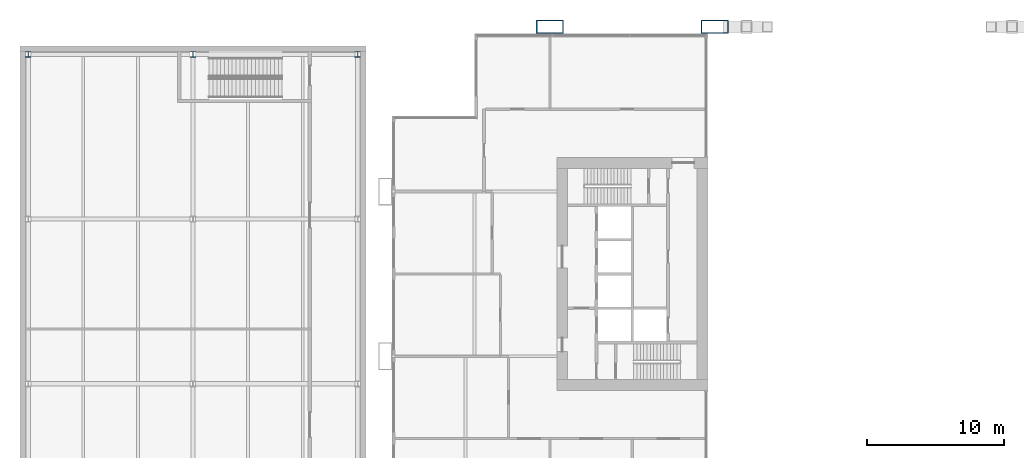
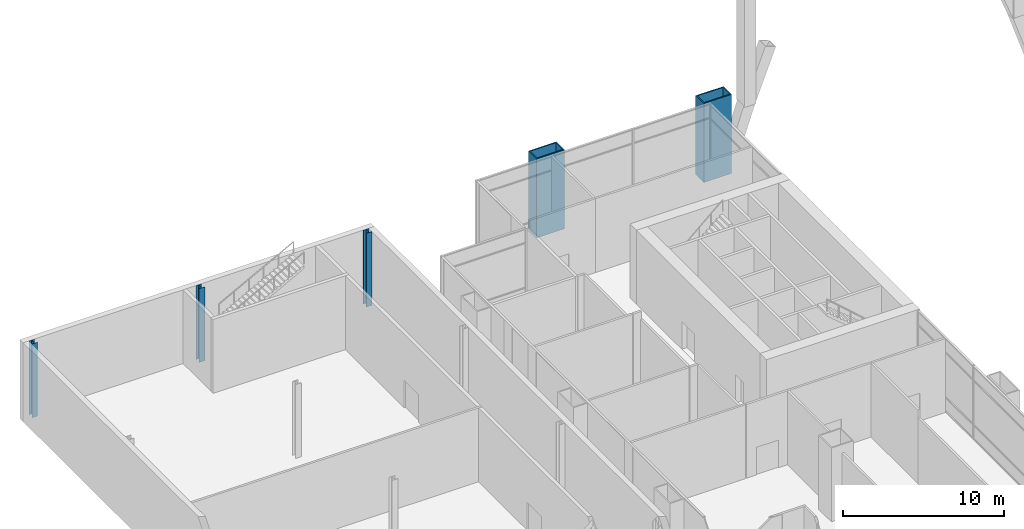
# One storey, part 5 of 30: 5 columns.
"""IFC4 building model written with IfcOpenShell, lengths in metres."""

from ifc_helpers import new_model, si_unit, direction, frame, origin, origin_2d, place, context, subcontext, project, spatial, hollow_rectangle, i_section, extrude, material, material_profile, profile_set, type_object, element, save


model = new_model("IFC4")

# Units and contexts
model_context = context("Model", 3, precision=1e-05, world=origin(), true_north=direction((0.0, 1.0)))
body_context = subcontext(model_context, "Body", "Model", "MODEL_VIEW")
ifc_project = project(units=[si_unit("LENGTHUNIT", "METRE"), si_unit("AREAUNIT", "SQUARE_METRE"), si_unit("VOLUMEUNIT", "CUBIC_METRE"), si_unit("PLANEANGLEUNIT", "RADIAN"), si_unit("MASSUNIT", "GRAM", prefix="KILO")], contexts=[model_context])

# Site, building, storey
site_placement = place(None, origin())
site = spatial("IfcSite", under=ifc_project, at=site_placement, CompositionType="ELEMENT")
building_placement = place(site_placement, origin())
building = spatial("IfcBuilding", under=site, at=building_placement, Name="Kitamizu Gate Tower and Museum", CompositionType="ELEMENT")
storey_placement = place(building_placement, frame((0.0, 0.0, 6.0)))
storey = spatial("IfcBuildingStorey", under=building, at=storey_placement, Name="L01", CompositionType="ELEMENT", Elevation=6.0)

# Columns
ifc_material_1 = material(Name="Steel SS400", Category="steel")
ifc_material_profile_1 = material_profile(ifc_material_1, i_section(OverallWidth=0.39990234375, OverallDepth=0.39990234375, WebThickness=0.012939453125, FlangeThickness=0.02099609375, FilletRadius=0.02197265625, at=origin_2d()), Name="H-400x400x13x21")
ifc_profile_set_1 = profile_set([ifc_material_profile_1], Name="Steel SS400")
column_type_1 = type_object("IfcColumnType", Name="Museum perimeter column H 400x400x13x21", PredefinedType="COLUMN", material=ifc_profile_set_1)
for number, where, z_axis, x_axis, name in (
    (1, (-26.0, 46.0, 0.0), (0.0, 0.0, 1.0), (1.0, 0.0, 0.0), "Column M1MG"),
    (2, (-14.0, 46.0, 0.0), (0.0, 0.0, 1.0), (1.0, 0.0, 0.0), "Column M2MG"),
    (3, (-2.0, 46.0, 0.0), (0.0, 0.0, 1.0), (1.0, 0.0, 0.0), "Column M3MG"),
):
    element("IfcColumn", number, at=place(storey_placement, frame(where, z_axis=z_axis, x_axis=x_axis)), inside=storey, type_object=column_type_1, Name=name, PredefinedType="COLUMN", context=body_context, shape_type="SweptSolid", body=[
        extrude(i_section(OverallWidth=0.39990234375, OverallDepth=0.39990234375, WebThickness=0.012939453125, FlangeThickness=0.02099609375, FilletRadius=0.02197265625, at=origin_2d()), origin(), (0.0, 0.0, 1.0), 5.60009765625),
    ])
ifc_material_2 = material(Name="Steel SM490A bronze coated", Category="steel")
ifc_material_profile_2 = material_profile(ifc_material_2, hollow_rectangle(XDim=2.0, YDim=1.0, WallThickness=0.080078125, at=origin_2d()), Name="BOX 2000x1000x80")
ifc_profile_set_2 = profile_set([ifc_material_profile_2], Name="Steel SM490A bronze coated")
column_type_2 = type_object("IfcColumnType", Name="Podium leg column LC1 BOX 2000x1000x80", PredefinedType="COLUMN", material=ifc_profile_set_2)
for number, where, z_axis, x_axis, name in (
    (4, (12.0, 48.0, -0.39990234375), (0.0, 0.0, 1.0), (1.0, 0.0, 0.0), "Column LC1 2E L01"),
    (5, (24.0, 48.0, -0.39990234375), (0.0, 0.0, 1.0), (1.0, 0.0, 0.0), "Column LC1 3E L01"),
):
    element("IfcColumn", number, at=place(storey_placement, frame(where, z_axis=z_axis, x_axis=x_axis)), inside=storey, type_object=column_type_2, Name=name, PredefinedType="COLUMN", context=body_context, shape_type="SweptSolid", body=[
        extrude(hollow_rectangle(XDim=2.0, YDim=1.0, WallThickness=0.080078125, at=origin_2d()), origin(), (0.0, 0.0, 1.0), 6.0),
    ])

save(model, "model.ifc")
